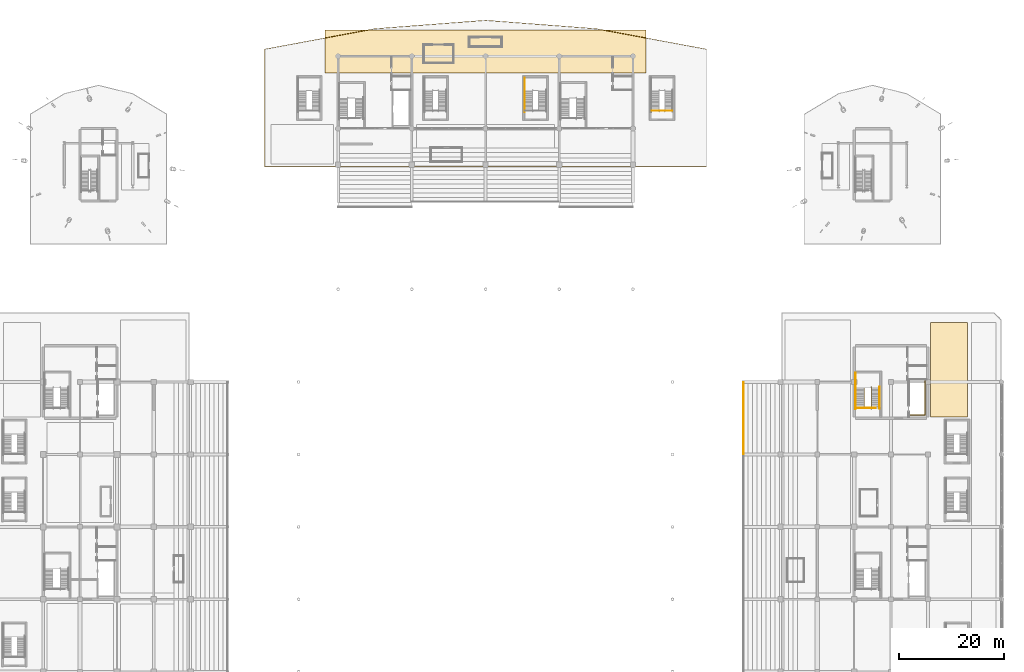
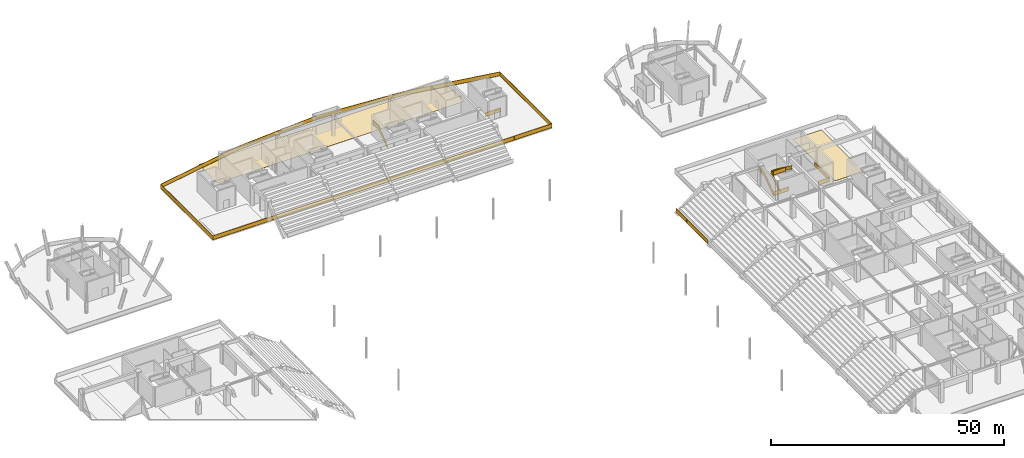
# One storey, part 116 of 117: 9 railings, 2 coverings.
"""IFC4 building model written with IfcOpenShell, lengths in metres."""

from ifc_helpers import new_model, si_unit, direction, frame, origin, origin_2d, place, context, subcontext, project, spatial, polyline, rectangle, outline, extrude, material, layer, layer_set, type_object, element, save


model = new_model("IFC4")

# Units and contexts
model_context = context("Model", 3, precision=1e-05, world=origin(), true_north=direction((0.0, 1.0)))
body_context = subcontext(model_context, "Body", "Model", "MODEL_VIEW")
ifc_project = project(units=[si_unit("LENGTHUNIT", "METRE"), si_unit("AREAUNIT", "SQUARE_METRE"), si_unit("VOLUMEUNIT", "CUBIC_METRE"), si_unit("PLANEANGLEUNIT", "RADIAN"), si_unit("MASSUNIT", "GRAM", prefix="KILO")], contexts=[model_context])

# Site, building, storey
site_placement = place(None, origin())
site = spatial("IfcSite", under=ifc_project, at=site_placement, CompositionType="ELEMENT")
building_placement = place(site_placement, origin())
building = spatial("IfcBuilding", under=site, at=building_placement, Name="Linyun Crest Stadium", CompositionType="ELEMENT")
storey_placement = place(building_placement, frame((0.0, 0.0, 6.0)))
storey = spatial("IfcBuildingStorey", under=building, at=storey_placement, Name="L02", CompositionType="ELEMENT", Elevation=6.0)

# Coverings
ifc_material_1 = material(Name="Polymeric cushioned multi-sport athletic flooring")
ifc_layer_1 = layer(ifc_material_1, 0.01806640625)
ifc_layer_set_1 = layer_set([ifc_layer_1], Name="Polymeric cushioned multi-sport athletic flooring")
covering_type_1 = type_object("IfcCoveringType", Name="FLR01", PredefinedType="FLOORING", material=ifc_layer_set_1)
covering_1_placement = place(storey_placement, origin())
element("IfcCovering", 1, at=covering_1_placement, inside=storey, type_object=covering_type_1, Name="Athletic flooring FLR01 26", PredefinedType="FLOORING", context=body_context, shape_type="SweptSolid", body=[
    extrude(outline(polyline([(-30.5, 102.10009765625), (30.5, 102.10009765625), (30.5, 110.199951171875), (-30.5, 110.199951171875), (-30.5, 102.10009765625)])), origin(), (0.0, 0.0, 1.0), 0.01806640625),
])
ifc_material_2 = material(Name="Terrazzo concourse and hospitality floor finish")
ifc_layer_2 = layer(ifc_material_2, 0.02197265625)
ifc_layer_set_2 = layer_set([ifc_layer_2], Name="Terrazzo concourse and hospitality floor finish")
covering_type_2 = type_object("IfcCoveringType", Name="FLR02", PredefinedType="FLOORING", material=ifc_layer_set_2)
covering_2_placement = place(storey_placement, origin())
element("IfcCovering", 2, at=covering_2_placement, inside=storey, type_object=covering_type_2, Name="Terrazzo flooring FLR02 62", PredefinedType="FLOORING", context=body_context, shape_type="SweptSolid", body=[
    extrude(outline(polyline([(84.5, 36.699951171875), (91.5, 36.699951171875), (91.5, 54.699951171875), (84.5, 54.699951171875), (84.5, 36.699951171875)])), origin(), (0.0, 0.0, 1.0), 0.02197265625),
])

# Railings
ifc_material_3 = material(Name="Galvanized and powder-coated steel bowl safety barrier", Category="steel")
railing_type_1 = type_object("IfcRailingType", Name="GR02", PredefinedType="GUARDRAIL", material=ifc_material_3)
railing_1_placement = place(storey_placement, frame((49.0, 29.705078125, 0.199951171875)))
element("IfcRailing", 3, at=railing_1_placement, inside=storey, type_object=railing_type_1, Name="Bowl front safety guard GR02 54", PredefinedType="GUARDRAIL", context=body_context, shape_type="SweptSolid", body=[
    extrude(rectangle(XDim=0.06005859375, YDim=0.06005859375, at=origin_2d()), frame((0.0, 0.0, 1.090087890625), z_axis=(0.0, 1.0, 0.0), x_axis=(-1.0, 0.0, 0.0)), (0.0, 0.0, 1.0), 13.58984375),
    extrude(rectangle(XDim=0.030029296875, YDim=1.0, at=origin_2d()), frame((0.0, 0.0, 0.56005859375), z_axis=(0.0, 1.0, 0.0), x_axis=(-1.0, 0.0, 0.0)), (0.0, 0.0, 1.0), 13.58984375),
    extrude(rectangle(XDim=0.06005859375, YDim=0.06005859375, at=origin_2d()), frame((0.0, 0.0, 0.030029296875), z_axis=(0.0, 1.0, 0.0), x_axis=(-1.0, 0.0, 0.0)), (0.0, 0.0, 1.0), 13.58984375),
    extrude(rectangle(XDim=0.050048828125, YDim=0.050048828125, at=origin_2d()), origin(), (0.0, 0.0, 1.0), 1.1201171875),
    extrude(rectangle(XDim=0.050048828125, YDim=0.050048828125, at=origin_2d()), frame((0.0, 2.264892578125, 0.0)), (0.0, 0.0, 1.0), 1.1201171875),
    extrude(rectangle(XDim=0.050048828125, YDim=0.050048828125, at=origin_2d()), frame((0.0, 4.530029296875, 0.0)), (0.0, 0.0, 1.0), 1.1201171875),
    extrude(rectangle(XDim=0.050048828125, YDim=0.050048828125, at=origin_2d()), frame((0.0, 6.794921875, 0.0)), (0.0, 0.0, 1.0), 1.1201171875),
    extrude(rectangle(XDim=0.050048828125, YDim=0.050048828125, at=origin_2d()), frame((0.0, 9.059814453125, 0.0)), (0.0, 0.0, 1.0), 1.1201171875),
    extrude(rectangle(XDim=0.050048828125, YDim=0.050048828125, at=origin_2d()), frame((0.0, 11.324951171875, 0.0)), (0.0, 0.0, 1.0), 1.1201171875),
    extrude(rectangle(XDim=0.050048828125, YDim=0.050048828125, at=origin_2d()), frame((0.0, 13.58984375, 0.0)), (0.0, 0.0, 1.0), 1.1201171875),
])
railing_2_placement = place(storey_placement, frame((80.580078125, 37.090087890625, 0.0)))
element("IfcRailing", 4, at=railing_2_placement, inside=storey, type_object=railing_type_1, Name="Slab edge balustrade GR02 133", PredefinedType="GUARDRAIL", context=body_context, shape_type="SweptSolid", body=[
    extrude(rectangle(XDim=0.06005859375, YDim=0.06005859375, at=origin_2d()), frame((0.0, 0.0, 1.090087890625), z_axis=(1.0, 0.0, 0.0), x_axis=(0.0, 1.0, 0.0)), (0.0, 0.0, 1.0), 2.8798828125),
    extrude(rectangle(XDim=0.030029296875, YDim=1.0, at=origin_2d()), frame((0.0, 0.0, 0.56005859375), z_axis=(1.0, 0.0, 0.0), x_axis=(0.0, 1.0, 0.0)), (0.0, 0.0, 1.0), 2.8798828125),
    extrude(rectangle(XDim=0.06005859375, YDim=0.06005859375, at=origin_2d()), frame((0.0, 0.0, 0.030029296875), z_axis=(1.0, 0.0, 0.0), x_axis=(0.0, 1.0, 0.0)), (0.0, 0.0, 1.0), 2.8798828125),
    extrude(rectangle(XDim=0.06005859375, YDim=0.06005859375, at=origin_2d()), frame((2.8798828125, 0.0, 1.090087890625), z_axis=(0.0, 1.0, 0.0), x_axis=(-1.0, 0.0, 0.0)), (0.0, 0.0, 1.0), 6.5498046875),
    extrude(rectangle(XDim=0.030029296875, YDim=1.0, at=origin_2d()), frame((2.8798828125, 0.0, 0.56005859375), z_axis=(0.0, 1.0, 0.0), x_axis=(-1.0, 0.0, 0.0)), (0.0, 0.0, 1.0), 6.5498046875),
    extrude(rectangle(XDim=0.06005859375, YDim=0.06005859375, at=origin_2d()), frame((2.8798828125, 0.0, 0.030029296875), z_axis=(0.0, 1.0, 0.0), x_axis=(-1.0, 0.0, 0.0)), (0.0, 0.0, 1.0), 6.5498046875),
    extrude(rectangle(XDim=0.050048828125, YDim=0.050048828125, at=origin_2d()), origin(), (0.0, 0.0, 1.0), 1.1201171875),
    extrude(rectangle(XDim=0.050048828125, YDim=0.050048828125, at=origin_2d()), frame((2.8798828125, 0.0, 0.0)), (0.0, 0.0, 1.0), 1.1201171875),
    extrude(rectangle(XDim=0.050048828125, YDim=0.050048828125, at=origin_2d()), frame((2.8798828125, 3.27490234375, 0.0)), (0.0, 0.0, 1.0), 1.1201171875),
    extrude(rectangle(XDim=0.050048828125, YDim=0.050048828125, at=origin_2d()), frame((2.8798828125, 6.5498046875, 0.0)), (0.0, 0.0, 1.0), 1.1201171875),
])
railing_3_placement = place(storey_placement, frame((70.364990234375, 38.4599609375, 0.0)))
element("IfcRailing", 5, at=railing_3_placement, inside=storey, type_object=railing_type_1, Name="Slab edge balustrade GR02 135", PredefinedType="GUARDRAIL", context=body_context, shape_type="SweptSolid", body=[
    extrude(rectangle(XDim=0.06005859375, YDim=0.06005859375, at=origin_2d()), frame((0.0, 0.0, 1.090087890625), z_axis=(1.0, 0.0, 0.0), x_axis=(0.0, 1.0, 0.0)), (0.0, 0.0, 1.0), 3.735107421875),
    extrude(rectangle(XDim=0.030029296875, YDim=1.0, at=origin_2d()), frame((0.0, 0.0, 0.56005859375), z_axis=(1.0, 0.0, 0.0), x_axis=(0.0, 1.0, 0.0)), (0.0, 0.0, 1.0), 3.735107421875),
    extrude(rectangle(XDim=0.06005859375, YDim=0.06005859375, at=origin_2d()), frame((0.0, 0.0, 0.030029296875), z_axis=(1.0, 0.0, 0.0), x_axis=(0.0, 1.0, 0.0)), (0.0, 0.0, 1.0), 3.735107421875),
    extrude(rectangle(XDim=0.050048828125, YDim=0.050048828125, at=origin_2d()), origin(), (0.0, 0.0, 1.0), 1.1201171875),
    extrude(rectangle(XDim=0.050048828125, YDim=0.050048828125, at=origin_2d()), frame((3.735107421875, 0.0, 0.0)), (0.0, 0.0, 1.0), 1.1201171875),
])
railing_4_placement = place(storey_placement, frame((-41.93994140625, 84.260009765625, 0.0)))
element("IfcRailing", 6, at=railing_4_placement, inside=storey, type_object=railing_type_1, Name="Slab edge balustrade GR02 197", PredefinedType="GUARDRAIL", context=body_context, shape_type="SweptSolid", body=[
    extrude(rectangle(XDim=0.06005859375, YDim=0.06005859375, at=origin_2d()), frame((0.0, 0.0, 1.090087890625), z_axis=(0.0, 1.0, 0.0), x_axis=(-1.0, 0.0, 0.0)), (0.0, 0.0, 1.0), 22.31494140625),
    extrude(rectangle(XDim=0.030029296875, YDim=1.0, at=origin_2d()), frame((0.0, 0.0, 0.56005859375), z_axis=(0.0, 1.0, 0.0), x_axis=(-1.0, 0.0, 0.0)), (0.0, 0.0, 1.0), 22.31494140625),
    extrude(rectangle(XDim=0.06005859375, YDim=0.06005859375, at=origin_2d()), frame((0.0, 0.0, 0.030029296875), z_axis=(0.0, 1.0, 0.0), x_axis=(-1.0, 0.0, 0.0)), (0.0, 0.0, 1.0), 22.31494140625),
    extrude(rectangle(XDim=0.06005859375, YDim=0.06005859375, at=origin_2d()), frame((0.0, 22.31494140625, 1.090087890625), z_axis=(0.983190469869, 0.182582857789, 0.0), x_axis=(-0.182582857789, 0.983190469869, 0.0)), (0.0, 0.0, 1.0), 21.30615234375),
    extrude(rectangle(XDim=0.030029296875, YDim=1.0, at=origin_2d()), frame((0.0, 22.31494140625, 0.56005859375), z_axis=(0.983190469869, 0.182582857789, 0.0), x_axis=(-0.182582857789, 0.983190469869, 0.0)), (0.0, 0.0, 1.0), 21.30615234375),
    extrude(rectangle(XDim=0.06005859375, YDim=0.06005859375, at=origin_2d()), frame((0.0, 22.31494140625, 0.030029296875), z_axis=(0.983190469869, 0.182582857789, 0.0), x_axis=(-0.182582857789, 0.983190469869, 0.0)), (0.0, 0.0, 1.0), 21.30615234375),
    extrude(rectangle(XDim=0.06005859375, YDim=0.06005859375, at=origin_2d()), frame((20.947998046875, 26.205078125, 1.090087890625), z_axis=(0.997108399711, 0.075992362947, 0.0), x_axis=(-0.075992362947, 0.997108399711, 0.0)), (0.0, 0.0, 1.0), 21.052734375),
    extrude(rectangle(XDim=0.030029296875, YDim=1.0, at=origin_2d()), frame((20.947998046875, 26.205078125, 0.56005859375), z_axis=(0.997108399711, 0.075992362947, 0.0), x_axis=(-0.075992362947, 0.997108399711, 0.0)), (0.0, 0.0, 1.0), 21.052734375),
    extrude(rectangle(XDim=0.06005859375, YDim=0.06005859375, at=origin_2d()), frame((20.947998046875, 26.205078125, 0.030029296875), z_axis=(0.997108399711, 0.075992362947, 0.0), x_axis=(-0.075992362947, 0.997108399711, 0.0)), (0.0, 0.0, 1.0), 21.052734375),
    extrude(rectangle(XDim=0.06005859375, YDim=0.06005859375, at=origin_2d()), frame((41.93994140625, 27.804931640625, 1.090087890625), z_axis=(0.997108399711, -0.075992362947, 0.0), x_axis=(0.075992362947, 0.997108399711, 0.0)), (0.0, 0.0, 1.0), 21.052734375),
    extrude(rectangle(XDim=0.030029296875, YDim=1.0, at=origin_2d()), frame((41.93994140625, 27.804931640625, 0.56005859375), z_axis=(0.997108399711, -0.075992362947, 0.0), x_axis=(0.075992362947, 0.997108399711, 0.0)), (0.0, 0.0, 1.0), 21.052734375),
    extrude(rectangle(XDim=0.06005859375, YDim=0.06005859375, at=origin_2d()), frame((41.93994140625, 27.804931640625, 0.030029296875), z_axis=(0.997108399711, -0.075992362947, 0.0), x_axis=(0.075992362947, 0.997108399711, 0.0)), (0.0, 0.0, 1.0), 21.052734375),
    extrude(rectangle(XDim=0.06005859375, YDim=0.06005859375, at=origin_2d()), frame((62.931884765625, 26.205078125, 1.090087890625), z_axis=(0.983190469869, -0.182582857789, 0.0), x_axis=(0.182582857789, 0.983190469869, 0.0)), (0.0, 0.0, 1.0), 21.30615234375),
    extrude(rectangle(XDim=0.030029296875, YDim=1.0, at=origin_2d()), frame((62.931884765625, 26.205078125, 0.56005859375), z_axis=(0.983190469869, -0.182582857789, 0.0), x_axis=(0.182582857789, 0.983190469869, 0.0)), (0.0, 0.0, 1.0), 21.30615234375),
    extrude(rectangle(XDim=0.06005859375, YDim=0.06005859375, at=origin_2d()), frame((62.931884765625, 26.205078125, 0.030029296875), z_axis=(0.983190469869, -0.182582857789, 0.0), x_axis=(0.182582857789, 0.983190469869, 0.0)), (0.0, 0.0, 1.0), 21.30615234375),
    extrude(rectangle(XDim=0.06005859375, YDim=0.06005859375, at=origin_2d()), frame((83.8798828125, 22.31494140625, 1.090087890625), z_axis=(0.0, -1.0, 0.0), x_axis=(1.0, 0.0, 0.0)), (0.0, 0.0, 1.0), 22.31494140625),
    extrude(rectangle(XDim=0.030029296875, YDim=1.0, at=origin_2d()), frame((83.8798828125, 22.31494140625, 0.56005859375), z_axis=(0.0, -1.0, 0.0), x_axis=(1.0, 0.0, 0.0)), (0.0, 0.0, 1.0), 22.31494140625),
    extrude(rectangle(XDim=0.06005859375, YDim=0.06005859375, at=origin_2d()), frame((83.8798828125, 22.31494140625, 0.030029296875), z_axis=(0.0, -1.0, 0.0), x_axis=(1.0, 0.0, 0.0)), (0.0, 0.0, 1.0), 22.31494140625),
    extrude(rectangle(XDim=0.06005859375, YDim=0.06005859375, at=origin_2d()), frame((83.8798828125, 0.0, 1.090087890625), z_axis=(-1.0, 0.0, 0.0), x_axis=(0.0, -1.0, 0.0)), (0.0, 0.0, 1.0), 83.8798828125),
    extrude(rectangle(XDim=0.030029296875, YDim=1.0, at=origin_2d()), frame((83.8798828125, 0.0, 0.56005859375), z_axis=(-1.0, 0.0, 0.0), x_axis=(0.0, -1.0, 0.0)), (0.0, 0.0, 1.0), 83.8798828125),
    extrude(rectangle(XDim=0.06005859375, YDim=0.06005859375, at=origin_2d()), frame((83.8798828125, 0.0, 0.030029296875), z_axis=(-1.0, 0.0, 0.0), x_axis=(0.0, -1.0, 0.0)), (0.0, 0.0, 1.0), 83.8798828125),
    extrude(rectangle(XDim=0.050048828125, YDim=0.050048828125, at=origin_2d()), origin(), (0.0, 0.0, 1.0), 1.1201171875),
    extrude(rectangle(XDim=0.050048828125, YDim=0.050048828125, at=origin_2d()), frame((0.0, 4.462890625, 0.0)), (0.0, 0.0, 1.0), 1.1201171875),
    extrude(rectangle(XDim=0.050048828125, YDim=0.050048828125, at=origin_2d()), frame((0.0, 8.926025390625, 0.0)), (0.0, 0.0, 1.0), 1.1201171875),
    extrude(rectangle(XDim=0.050048828125, YDim=0.050048828125, at=origin_2d()), frame((0.0, 13.388916015625, 0.0)), (0.0, 0.0, 1.0), 1.1201171875),
    extrude(rectangle(XDim=0.050048828125, YDim=0.050048828125, at=origin_2d()), frame((0.0, 17.85205078125, 0.0)), (0.0, 0.0, 1.0), 1.1201171875),
    extrude(rectangle(XDim=0.050048828125, YDim=0.050048828125, at=origin_2d()), frame((0.0, 22.31494140625, 0.0)), (0.0, 0.0, 1.0), 1.1201171875),
    extrude(rectangle(XDim=0.050048828125, YDim=0.050048828125, at=origin_2d()), frame((4.189697265625, 23.093017578125, 0.0)), (0.0, 0.0, 1.0), 1.1201171875),
    extrude(rectangle(XDim=0.050048828125, YDim=0.050048828125, at=origin_2d()), frame((8.379150390625, 23.87109375, 0.0)), (0.0, 0.0, 1.0), 1.1201171875),
    extrude(rectangle(XDim=0.050048828125, YDim=0.050048828125, at=origin_2d()), frame((12.56884765625, 24.64892578125, 0.0)), (0.0, 0.0, 1.0), 1.1201171875),
    extrude(rectangle(XDim=0.050048828125, YDim=0.050048828125, at=origin_2d()), frame((16.75830078125, 25.427001953125, 0.0)), (0.0, 0.0, 1.0), 1.1201171875),
    extrude(rectangle(XDim=0.050048828125, YDim=0.050048828125, at=origin_2d()), frame((20.947998046875, 26.205078125, 0.0)), (0.0, 0.0, 1.0), 1.1201171875),
    extrude(rectangle(XDim=0.050048828125, YDim=0.050048828125, at=origin_2d()), frame((25.146484375, 26.525146484375, 0.0)), (0.0, 0.0, 1.0), 1.1201171875),
    extrude(rectangle(XDim=0.050048828125, YDim=0.050048828125, at=origin_2d()), frame((29.3447265625, 26.844970703125, 0.0)), (0.0, 0.0, 1.0), 1.1201171875),
    extrude(rectangle(XDim=0.050048828125, YDim=0.050048828125, at=origin_2d()), frame((33.543212890625, 27.1650390625, 0.0)), (0.0, 0.0, 1.0), 1.1201171875),
    extrude(rectangle(XDim=0.050048828125, YDim=0.050048828125, at=origin_2d()), frame((37.741455078125, 27.48486328125, 0.0)), (0.0, 0.0, 1.0), 1.1201171875),
    extrude(rectangle(XDim=0.050048828125, YDim=0.050048828125, at=origin_2d()), frame((41.93994140625, 27.804931640625, 0.0)), (0.0, 0.0, 1.0), 1.1201171875),
    extrude(rectangle(XDim=0.050048828125, YDim=0.050048828125, at=origin_2d()), frame((46.138427734375, 27.48486328125, 0.0)), (0.0, 0.0, 1.0), 1.1201171875),
    extrude(rectangle(XDim=0.050048828125, YDim=0.050048828125, at=origin_2d()), frame((50.336669921875, 27.1650390625, 0.0)), (0.0, 0.0, 1.0), 1.1201171875),
    extrude(rectangle(XDim=0.050048828125, YDim=0.050048828125, at=origin_2d()), frame((54.53515625, 26.844970703125, 0.0)), (0.0, 0.0, 1.0), 1.1201171875),
    extrude(rectangle(XDim=0.050048828125, YDim=0.050048828125, at=origin_2d()), frame((58.7333984375, 26.525146484375, 0.0)), (0.0, 0.0, 1.0), 1.1201171875),
    extrude(rectangle(XDim=0.050048828125, YDim=0.050048828125, at=origin_2d()), frame((62.931884765625, 26.205078125, 0.0)), (0.0, 0.0, 1.0), 1.1201171875),
    extrude(rectangle(XDim=0.050048828125, YDim=0.050048828125, at=origin_2d()), frame((67.12158203125, 25.427001953125, 0.0)), (0.0, 0.0, 1.0), 1.1201171875),
    extrude(rectangle(XDim=0.050048828125, YDim=0.050048828125, at=origin_2d()), frame((71.31103515625, 24.64892578125, 0.0)), (0.0, 0.0, 1.0), 1.1201171875),
    extrude(rectangle(XDim=0.050048828125, YDim=0.050048828125, at=origin_2d()), frame((75.500732421875, 23.87109375, 0.0)), (0.0, 0.0, 1.0), 1.1201171875),
    extrude(rectangle(XDim=0.050048828125, YDim=0.050048828125, at=origin_2d()), frame((79.690185546875, 23.093017578125, 0.0)), (0.0, 0.0, 1.0), 1.1201171875),
    extrude(rectangle(XDim=0.050048828125, YDim=0.050048828125, at=origin_2d()), frame((83.8798828125, 22.31494140625, 0.0)), (0.0, 0.0, 1.0), 1.1201171875),
    extrude(rectangle(XDim=0.050048828125, YDim=0.050048828125, at=origin_2d()), frame((83.8798828125, 17.85205078125, 0.0)), (0.0, 0.0, 1.0), 1.1201171875),
    extrude(rectangle(XDim=0.050048828125, YDim=0.050048828125, at=origin_2d()), frame((83.8798828125, 13.388916015625, 0.0)), (0.0, 0.0, 1.0), 1.1201171875),
    extrude(rectangle(XDim=0.050048828125, YDim=0.050048828125, at=origin_2d()), frame((83.8798828125, 8.926025390625, 0.0)), (0.0, 0.0, 1.0), 1.1201171875),
    extrude(rectangle(XDim=0.050048828125, YDim=0.050048828125, at=origin_2d()), frame((83.8798828125, 4.462890625, 0.0)), (0.0, 0.0, 1.0), 1.1201171875),
    extrude(rectangle(XDim=0.050048828125, YDim=0.050048828125, at=origin_2d()), frame((83.8798828125, 0.0, 0.0)), (0.0, 0.0, 1.0), 1.1201171875),
    extrude(rectangle(XDim=0.050048828125, YDim=0.050048828125, at=origin_2d()), frame((79.219970703125, 0.0, 0.0)), (0.0, 0.0, 1.0), 1.1201171875),
    extrude(rectangle(XDim=0.050048828125, YDim=0.050048828125, at=origin_2d()), frame((74.559814453125, 0.0, 0.0)), (0.0, 0.0, 1.0), 1.1201171875),
    extrude(rectangle(XDim=0.050048828125, YDim=0.050048828125, at=origin_2d()), frame((69.89990234375, 0.0, 0.0)), (0.0, 0.0, 1.0), 1.1201171875),
    extrude(rectangle(XDim=0.050048828125, YDim=0.050048828125, at=origin_2d()), frame((65.239990234375, 0.0, 0.0)), (0.0, 0.0, 1.0), 1.1201171875),
    extrude(rectangle(XDim=0.050048828125, YDim=0.050048828125, at=origin_2d()), frame((60.579833984375, 0.0, 0.0)), (0.0, 0.0, 1.0), 1.1201171875),
    extrude(rectangle(XDim=0.050048828125, YDim=0.050048828125, at=origin_2d()), frame((55.919921875, 0.0, 0.0)), (0.0, 0.0, 1.0), 1.1201171875),
    extrude(rectangle(XDim=0.050048828125, YDim=0.050048828125, at=origin_2d()), frame((51.260009765625, 0.0, 0.0)), (0.0, 0.0, 1.0), 1.1201171875),
    extrude(rectangle(XDim=0.050048828125, YDim=0.050048828125, at=origin_2d()), frame((46.599853515625, 0.0, 0.0)), (0.0, 0.0, 1.0), 1.1201171875),
    extrude(rectangle(XDim=0.050048828125, YDim=0.050048828125, at=origin_2d()), frame((41.93994140625, 0.0, 0.0)), (0.0, 0.0, 1.0), 1.1201171875),
    extrude(rectangle(XDim=0.050048828125, YDim=0.050048828125, at=origin_2d()), frame((37.280029296875, 0.0, 0.0)), (0.0, 0.0, 1.0), 1.1201171875),
    extrude(rectangle(XDim=0.050048828125, YDim=0.050048828125, at=origin_2d()), frame((32.619873046875, 0.0, 0.0)), (0.0, 0.0, 1.0), 1.1201171875),
    extrude(rectangle(XDim=0.050048828125, YDim=0.050048828125, at=origin_2d()), frame((27.9599609375, 0.0, 0.0)), (0.0, 0.0, 1.0), 1.1201171875),
    extrude(rectangle(XDim=0.050048828125, YDim=0.050048828125, at=origin_2d()), frame((23.300048828125, 0.0, 0.0)), (0.0, 0.0, 1.0), 1.1201171875),
    extrude(rectangle(XDim=0.050048828125, YDim=0.050048828125, at=origin_2d()), frame((18.639892578125, 0.0, 0.0)), (0.0, 0.0, 1.0), 1.1201171875),
    extrude(rectangle(XDim=0.050048828125, YDim=0.050048828125, at=origin_2d()), frame((13.97998046875, 0.0, 0.0)), (0.0, 0.0, 1.0), 1.1201171875),
    extrude(rectangle(XDim=0.050048828125, YDim=0.050048828125, at=origin_2d()), frame((9.320068359375, 0.0, 0.0)), (0.0, 0.0, 1.0), 1.1201171875),
    extrude(rectangle(XDim=0.050048828125, YDim=0.050048828125, at=origin_2d()), frame((4.659912109375, 0.0, 0.0)), (0.0, 0.0, 1.0), 1.1201171875),
])
railing_5_placement = place(storey_placement, frame((31.5400390625, 94.889892578125, 0.0)))
element("IfcRailing", 7, at=railing_5_placement, inside=storey, type_object=railing_type_1, Name="Slab edge balustrade GR02 198", PredefinedType="GUARDRAIL", context=body_context, shape_type="SweptSolid", body=[
    extrude(rectangle(XDim=0.06005859375, YDim=0.06005859375, at=origin_2d()), frame((0.0, 0.0, 1.090087890625), z_axis=(1.0, 0.0, 0.0), x_axis=(0.0, 1.0, 0.0)), (0.0, 0.0, 1.0), 3.919921875),
    extrude(rectangle(XDim=0.030029296875, YDim=1.0, at=origin_2d()), frame((0.0, 0.0, 0.56005859375), z_axis=(1.0, 0.0, 0.0), x_axis=(0.0, 1.0, 0.0)), (0.0, 0.0, 1.0), 3.919921875),
    extrude(rectangle(XDim=0.06005859375, YDim=0.06005859375, at=origin_2d()), frame((0.0, 0.0, 0.030029296875), z_axis=(1.0, 0.0, 0.0), x_axis=(0.0, 1.0, 0.0)), (0.0, 0.0, 1.0), 3.919921875),
    extrude(rectangle(XDim=0.050048828125, YDim=0.050048828125, at=origin_2d()), origin(), (0.0, 0.0, 1.0), 1.1201171875),
    extrude(rectangle(XDim=0.050048828125, YDim=0.050048828125, at=origin_2d()), frame((3.919921875, 0.0, 0.0)), (0.0, 0.0, 1.0), 1.1201171875),
])
ifc_material_4 = material(Name="Painted steel stairwell safety guard", Category="steel")
railing_type_2 = type_object("IfcRailingType", Name="GR03", PredefinedType="GUARDRAIL", material=ifc_material_4)
railing_6_placement = place(storey_placement, frame((70.2548828125, 38.489990234375, 0.0)))
element("IfcRailing", 8, at=railing_6_placement, inside=storey, type_object=railing_type_2, Name="STR-06-L02 outer guard", PredefinedType="GUARDRAIL", context=body_context, shape_type="SweptSolid", body=[
    extrude(rectangle(XDim=0.06005859375, YDim=0.06005859375, at=origin_2d()), frame((0.0, 0.0, 1.090087890625), z_axis=(0.0, 0.811539352079, 0.584297766578), x_axis=(-1.0, 0.0, 0.0)), (0.0, 0.0, 1.0), 4.620849609375),
    extrude(rectangle(XDim=0.030029296875, YDim=1.0, at=origin_2d()), frame((0.0, 0.0, 0.56005859375), z_axis=(0.0, 0.811539352079, 0.584297766578), x_axis=(-1.0, 0.0, 0.0)), (0.0, 0.0, 1.0), 4.620849609375),
    extrude(rectangle(XDim=0.06005859375, YDim=0.06005859375, at=origin_2d()), frame((0.0, 0.0, 0.030029296875), z_axis=(0.0, 0.811539352079, 0.584297766578), x_axis=(-1.0, 0.0, 0.0)), (0.0, 0.0, 1.0), 4.620849609375),
    extrude(rectangle(XDim=0.06005859375, YDim=0.06005859375, at=origin_2d()), frame((0.0, 3.75, 3.7900390625), z_axis=(0.0, 1.0, 0.0), x_axis=(-1.0, 0.0, 0.0)), (0.0, 0.0, 1.0), 2.830078125),
    extrude(rectangle(XDim=0.030029296875, YDim=1.0, at=origin_2d()), frame((0.0, 3.75, 3.260009765625), z_axis=(0.0, 1.0, 0.0), x_axis=(-1.0, 0.0, 0.0)), (0.0, 0.0, 1.0), 2.830078125),
    extrude(rectangle(XDim=0.06005859375, YDim=0.06005859375, at=origin_2d()), frame((0.0, 3.75, 2.72998046875), z_axis=(0.0, 1.0, 0.0), x_axis=(-1.0, 0.0, 0.0)), (0.0, 0.0, 1.0), 2.830078125),
    extrude(rectangle(XDim=0.050048828125, YDim=0.050048828125, at=origin_2d()), origin(), (0.0, 0.0, 1.0), 1.1201171875),
    extrude(rectangle(XDim=0.050048828125, YDim=0.050048828125, at=origin_2d()), frame((0.0, 1.25, 0.89990234375)), (0.0, 0.0, 1.0), 1.1201171875),
    extrude(rectangle(XDim=0.050048828125, YDim=0.050048828125, at=origin_2d()), frame((0.0, 2.5, 1.800048828125)), (0.0, 0.0, 1.0), 1.1201171875),
    extrude(rectangle(XDim=0.050048828125, YDim=0.050048828125, at=origin_2d()), frame((0.0, 3.75, 2.699951171875)), (0.0, 0.0, 1.0), 1.1201171875),
    extrude(rectangle(XDim=0.050048828125, YDim=0.050048828125, at=origin_2d()), frame((0.0, 5.1650390625, 2.699951171875)), (0.0, 0.0, 1.0), 1.1201171875),
    extrude(rectangle(XDim=0.050048828125, YDim=0.050048828125, at=origin_2d()), frame((0.0, 6.580078125, 2.699951171875)), (0.0, 0.0, 1.0), 1.1201171875),
])
railing_7_placement = place(storey_placement, frame((71.89501953125, 38.469970703125, 0.0)))
element("IfcRailing", 9, at=railing_7_placement, inside=storey, type_object=railing_type_2, Name="STR-06-L02 inner well guard", PredefinedType="GUARDRAIL", context=body_context, shape_type="SweptSolid", body=[
    extrude(rectangle(XDim=0.06005859375, YDim=0.06005859375, at=origin_2d()), frame((0.0, 0.0, 1.090087890625), z_axis=(0.0, 0.813010693788, 0.582248754216), x_axis=(-1.0, 0.0, 0.0)), (0.0, 0.0, 1.0), 4.63720703125),
    extrude(rectangle(XDim=0.030029296875, YDim=1.0, at=origin_2d()), frame((0.0, 0.0, 0.56005859375), z_axis=(0.0, 0.813010693788, 0.582248754216), x_axis=(-1.0, 0.0, 0.0)), (0.0, 0.0, 1.0), 4.63720703125),
    extrude(rectangle(XDim=0.06005859375, YDim=0.06005859375, at=origin_2d()), frame((0.0, 0.0, 0.030029296875), z_axis=(0.0, 0.813010693788, 0.582248754216), x_axis=(-1.0, 0.0, 0.0)), (0.0, 0.0, 1.0), 4.63720703125),
    extrude(rectangle(XDim=0.06005859375, YDim=0.06005859375, at=origin_2d()), frame((0.0, 3.77001953125, 3.7900390625), z_axis=(1.0, 0.0, 0.0), x_axis=(0.0, 1.0, 0.0)), (0.0, 0.0, 1.0), 1.3349609375),
    extrude(rectangle(XDim=0.030029296875, YDim=1.0, at=origin_2d()), frame((0.0, 3.77001953125, 3.260009765625), z_axis=(1.0, 0.0, 0.0), x_axis=(0.0, 1.0, 0.0)), (0.0, 0.0, 1.0), 1.3349609375),
    extrude(rectangle(XDim=0.06005859375, YDim=0.06005859375, at=origin_2d()), frame((0.0, 3.77001953125, 2.72998046875), z_axis=(1.0, 0.0, 0.0), x_axis=(0.0, 1.0, 0.0)), (0.0, 0.0, 1.0), 1.3349609375),
    extrude(rectangle(XDim=0.06005859375, YDim=0.06005859375, at=origin_2d()), frame((1.3349609375, 3.77001953125, 3.7900390625), z_axis=(0.0, -0.813010693788, 0.582248754216), x_axis=(1.0, 0.0, 0.0)), (0.0, 0.0, 1.0), 4.63720703125),
    extrude(rectangle(XDim=0.030029296875, YDim=1.0, at=origin_2d()), frame((1.3349609375, 3.77001953125, 3.260009765625), z_axis=(0.0, -0.813010693788, 0.582248754216), x_axis=(1.0, 0.0, 0.0)), (0.0, 0.0, 1.0), 4.63720703125),
    extrude(rectangle(XDim=0.06005859375, YDim=0.06005859375, at=origin_2d()), frame((1.3349609375, 3.77001953125, 2.72998046875), z_axis=(0.0, -0.813010693788, 0.582248754216), x_axis=(1.0, 0.0, 0.0)), (0.0, 0.0, 1.0), 4.63720703125),
    extrude(rectangle(XDim=0.06005859375, YDim=0.06005859375, at=origin_2d()), frame((1.3349609375, 0.0, 6.489990234375), z_axis=(-1.0, 0.0, 0.0), x_axis=(0.0, -1.0, 0.0)), (0.0, 0.0, 1.0), 2.98486328125),
    extrude(rectangle(XDim=0.030029296875, YDim=1.0, at=origin_2d()), frame((1.3349609375, 0.0, 5.9599609375), z_axis=(-1.0, 0.0, 0.0), x_axis=(0.0, -1.0, 0.0)), (0.0, 0.0, 1.0), 2.98486328125),
    extrude(rectangle(XDim=0.06005859375, YDim=0.06005859375, at=origin_2d()), frame((1.3349609375, 0.0, 5.429931640625), z_axis=(-1.0, 0.0, 0.0), x_axis=(0.0, -1.0, 0.0)), (0.0, 0.0, 1.0), 2.98486328125),
    extrude(rectangle(XDim=0.050048828125, YDim=0.050048828125, at=origin_2d()), origin(), (0.0, 0.0, 1.0), 1.1201171875),
    extrude(rectangle(XDim=0.050048828125, YDim=0.050048828125, at=origin_2d()), frame((0.0, 1.256591796875, 0.89990234375)), (0.0, 0.0, 1.0), 1.1201171875),
    extrude(rectangle(XDim=0.050048828125, YDim=0.050048828125, at=origin_2d()), frame((0.0, 2.513427734375, 1.800048828125)), (0.0, 0.0, 1.0), 1.1201171875),
    extrude(rectangle(XDim=0.050048828125, YDim=0.050048828125, at=origin_2d()), frame((0.0, 3.77001953125, 2.699951171875)), (0.0, 0.0, 1.0), 1.1201171875),
    extrude(rectangle(XDim=0.050048828125, YDim=0.050048828125, at=origin_2d()), frame((1.3349609375, 3.77001953125, 2.699951171875)), (0.0, 0.0, 1.0), 1.1201171875),
    extrude(rectangle(XDim=0.050048828125, YDim=0.050048828125, at=origin_2d()), frame((1.3349609375, 2.513427734375, 3.599853515625)), (0.0, 0.0, 1.0), 1.1201171875),
    extrude(rectangle(XDim=0.050048828125, YDim=0.050048828125, at=origin_2d()), frame((1.3349609375, 1.256591796875, 4.5)), (0.0, 0.0, 1.0), 1.1201171875),
    extrude(rectangle(XDim=0.050048828125, YDim=0.050048828125, at=origin_2d()), frame((1.3349609375, 0.0, 5.39990234375)), (0.0, 0.0, 1.0), 1.1201171875),
    extrude(rectangle(XDim=0.050048828125, YDim=0.050048828125, at=origin_2d()), frame((-0.157470703125, 0.0, 5.39990234375)), (0.0, 0.0, 1.0), 1.1201171875),
    extrude(rectangle(XDim=0.050048828125, YDim=0.050048828125, at=origin_2d()), frame((-1.64990234375, 0.0, 5.39990234375)), (0.0, 0.0, 1.0), 1.1201171875),
])
railing_8_placement = place(storey_placement, frame((7.429931640625, 94.919921875, 0.0)))
element("IfcRailing", 10, at=railing_8_placement, inside=storey, type_object=railing_type_2, Name="STR-25-L02 outer guard", PredefinedType="GUARDRAIL", context=body_context, shape_type="SweptSolid", body=[
    extrude(rectangle(XDim=0.06005859375, YDim=0.06005859375, at=origin_2d()), frame((0.0, 0.0, 1.090087890625), z_axis=(0.0, 0.811539352079, 0.584297766578), x_axis=(-1.0, 0.0, 0.0)), (0.0, 0.0, 1.0), 4.620849609375),
    extrude(rectangle(XDim=0.030029296875, YDim=1.0, at=origin_2d()), frame((0.0, 0.0, 0.56005859375), z_axis=(0.0, 0.811539352079, 0.584297766578), x_axis=(-1.0, 0.0, 0.0)), (0.0, 0.0, 1.0), 4.620849609375),
    extrude(rectangle(XDim=0.06005859375, YDim=0.06005859375, at=origin_2d()), frame((0.0, 0.0, 0.030029296875), z_axis=(0.0, 0.811539352079, 0.584297766578), x_axis=(-1.0, 0.0, 0.0)), (0.0, 0.0, 1.0), 4.620849609375),
    extrude(rectangle(XDim=0.06005859375, YDim=0.06005859375, at=origin_2d()), frame((0.0, 3.75, 3.7900390625), z_axis=(0.0, 1.0, 0.0), x_axis=(-1.0, 0.0, 0.0)), (0.0, 0.0, 1.0), 2.5),
    extrude(rectangle(XDim=0.030029296875, YDim=1.0, at=origin_2d()), frame((0.0, 3.75, 3.260009765625), z_axis=(0.0, 1.0, 0.0), x_axis=(-1.0, 0.0, 0.0)), (0.0, 0.0, 1.0), 2.5),
    extrude(rectangle(XDim=0.06005859375, YDim=0.06005859375, at=origin_2d()), frame((0.0, 3.75, 2.72998046875), z_axis=(0.0, 1.0, 0.0), x_axis=(-1.0, 0.0, 0.0)), (0.0, 0.0, 1.0), 2.5),
    extrude(rectangle(XDim=0.050048828125, YDim=0.050048828125, at=origin_2d()), origin(), (0.0, 0.0, 1.0), 1.1201171875),
    extrude(rectangle(XDim=0.050048828125, YDim=0.050048828125, at=origin_2d()), frame((0.0, 1.25, 0.89990234375)), (0.0, 0.0, 1.0), 1.1201171875),
    extrude(rectangle(XDim=0.050048828125, YDim=0.050048828125, at=origin_2d()), frame((0.0, 2.5, 1.800048828125)), (0.0, 0.0, 1.0), 1.1201171875),
    extrude(rectangle(XDim=0.050048828125, YDim=0.050048828125, at=origin_2d()), frame((0.0, 3.75, 2.699951171875)), (0.0, 0.0, 1.0), 1.1201171875),
    extrude(rectangle(XDim=0.050048828125, YDim=0.050048828125, at=origin_2d()), frame((0.0, 5.0, 2.699951171875)), (0.0, 0.0, 1.0), 1.1201171875),
    extrude(rectangle(XDim=0.050048828125, YDim=0.050048828125, at=origin_2d()), frame((0.0, 6.25, 2.699951171875)), (0.0, 0.0, 1.0), 1.1201171875),
])
ifc_material_5 = material(Name="Brushed stainless steel tubular handrail", Category="steel")
railing_type_3 = type_object("IfcRailingType", Name="HR01", PredefinedType="HANDRAIL", material=ifc_material_5)
railing_9_placement = place(storey_placement, frame((74.820068359375, 42.239990234375, 2.699951171875)))
element("IfcRailing", 11, at=railing_9_placement, inside=storey, type_object=railing_type_3, Name="STR-06-L02 handrail", PredefinedType="HANDRAIL", context=body_context, shape_type="SweptSolid", body=[
    extrude(rectangle(XDim=0.06005859375, YDim=0.06005859375, at=origin_2d()), frame((0.0, 0.0, 0.889892578125), z_axis=(0.0, -0.811539352079, 0.584297766578), x_axis=(1.0, 0.0, 0.0)), (0.0, 0.0, 1.0), 4.620849609375),
    extrude(rectangle(XDim=0.030029296875, YDim=0.7998046875, at=origin_2d()), frame((0.0, 0.0, 0.4599609375), z_axis=(0.0, -0.811539352079, 0.584297766578), x_axis=(1.0, 0.0, 0.0)), (0.0, 0.0, 1.0), 4.620849609375),
    extrude(rectangle(XDim=0.06005859375, YDim=0.06005859375, at=origin_2d()), frame((0.0, 0.0, 0.030029296875), z_axis=(0.0, -0.811539352079, 0.584297766578), x_axis=(1.0, 0.0, 0.0)), (0.0, 0.0, 1.0), 4.620849609375),
    extrude(rectangle(XDim=0.050048828125, YDim=0.050048828125, at=origin_2d()), origin(), (0.0, 0.0, 1.0), 0.919921875),
    extrude(rectangle(XDim=0.050048828125, YDim=0.050048828125, at=origin_2d()), frame((0.0, -1.25, 0.89990234375)), (0.0, 0.0, 1.0), 0.919921875),
    extrude(rectangle(XDim=0.050048828125, YDim=0.050048828125, at=origin_2d()), frame((0.0, -2.5, 1.800048828125)), (0.0, 0.0, 1.0), 0.919921875),
    extrude(rectangle(XDim=0.050048828125, YDim=0.050048828125, at=origin_2d()), frame((0.0, -3.75, 2.699951171875)), (0.0, 0.0, 1.0), 0.919921875),
])

save(model, "model.ifc")
